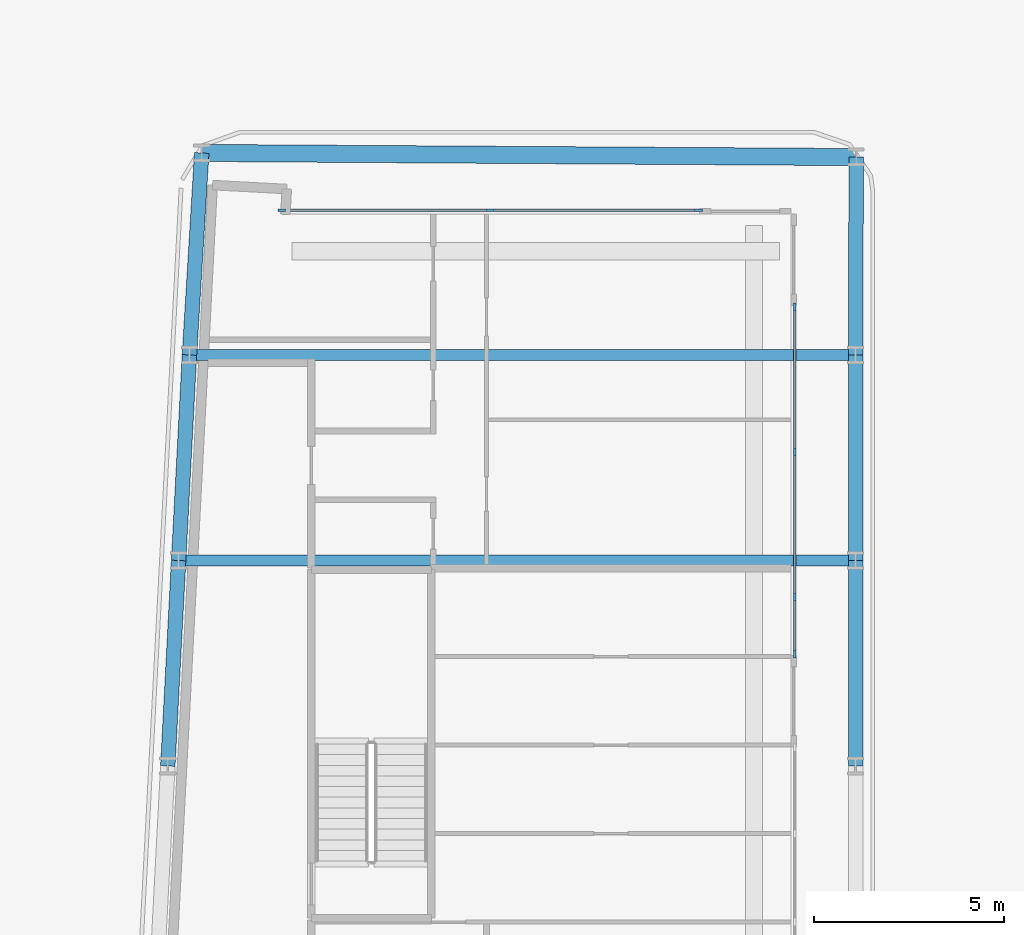
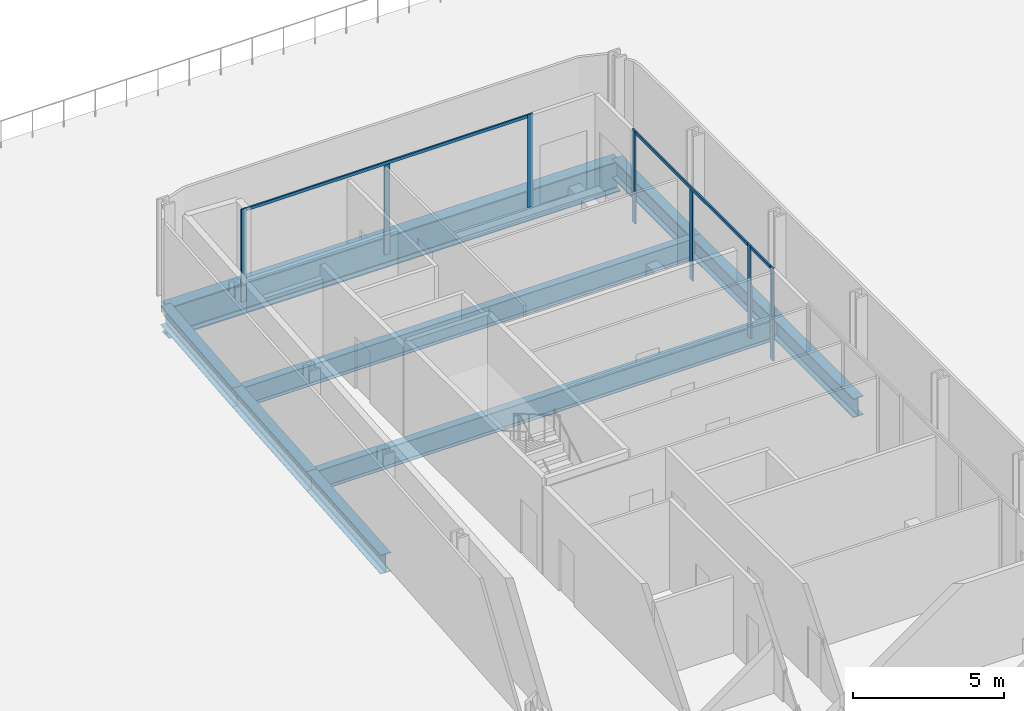
# One storey, part 8 of 27: 10 members, 9 beams, 3 elements without a shape of their own.
"""IFC4 building model written with IfcOpenShell, lengths in metres."""

import ifcopenshell
import ifcopenshell.guid

model = None  # the IFC model being written
_history = None  # IfcOwnerHistory: only IFC2X3 demands one
_inside = {}  # id of a spatial element -> (the spatial element, [elements in it])
_under = {}  # id of a project, library or spatial element -> (it, [spatial elements below it])
_declared = {}  # id of a project -> (the project, [libraries it declares])
_typed = {}  # id of a type object -> (the type object, [elements of that type])
_made_of = {}  # id of a material, layer set ... -> (it, [elements and type objects made of it])


def new_model(schema):
    """Start an empty IFC model of exactly this schema.

    Asked for "IFC4X3", IfcOpenShell would pick the latest addendum, in which some entities
    have other attributes; the version numbers below select the first issue.
    IFC2X3 requires an IfcOwnerHistory on every rooted entity: one is made here for all.
    """
    global model, _history
    if schema == "IFC4X3":
        model = ifcopenshell.file(schema_version=(4, 3, 0, 0))
    else:
        model = ifcopenshell.file(schema=schema)
    _inside.clear()
    _under.clear()
    _declared.clear()
    _typed.clear()
    _made_of.clear()
    _history = None
    if model.schema == "IFC2X3":
        org = make("IfcOrganization", Name="unknown")
        user = make(
            "IfcPersonAndOrganization",
            ThePerson=make("IfcPerson", FamilyName="unknown"),
            TheOrganization=org,
        )
        app = make(
            "IfcApplication",
            ApplicationDeveloper=org,
            Version="unknown",
            ApplicationFullName="unknown",
            ApplicationIdentifier="unknown",
        )
        _history = make(
            "IfcOwnerHistory",
            OwningUser=user,
            OwningApplication=app,
            ChangeAction="ADDED",
            CreationDate=0,
        )
    return model


def make(cls, **values):
    """One entity of the class cls with the attributes given. An attribute that is None is left unset."""
    return model.create_entity(
        cls, **{name: value for name, value in values.items() if value is not None}
    )


def rooted(cls, **values):
    """An entity with a GlobalId (a new one), such as an element, a storey or a relation."""
    return make(cls, GlobalId=ifcopenshell.guid.new(), OwnerHistory=_history, **values)


def si_unit(unit_type, name, prefix=None):
    """IfcSIUnit, for example si_unit("LENGTHUNIT", "METRE", prefix="MILLI")."""
    return make("IfcSIUnit", UnitType=unit_type, Prefix=prefix, Name=name)


def assignment(units):
    """IfcUnitAssignment: the units of a project."""
    return None if units is None else make("IfcUnitAssignment", Units=units)


def point(xyz):
    """IfcCartesianPoint."""
    return None if xyz is None else make("IfcCartesianPoint", Coordinates=xyz)


def direction(xyz):
    """IfcDirection."""
    return None if xyz is None else make("IfcDirection", DirectionRatios=xyz)


def frame(location, z_axis=None, x_axis=None):
    """IfcAxis2Placement3D, a coordinate frame: its origin and axes. An axis left out is left unset."""
    return make(
        "IfcAxis2Placement3D",
        Location=point(location),
        Axis=direction(z_axis),
        RefDirection=direction(x_axis),
    )


def frame_2d(location, x_axis=None):
    """IfcAxis2Placement2D, a coordinate frame in the plane: its origin and x axis."""
    return make(
        "IfcAxis2Placement2D", Location=point(location), RefDirection=direction(x_axis)
    )


def origin():
    """The frame at (0, 0, 0) with its axes left unset."""
    return frame((0.0, 0.0, 0.0))


def origin_2d():
    """The frame at (0, 0) in the plane with its x axis left unset."""
    return frame_2d((0.0, 0.0))


def place(relative_to, where):
    """IfcLocalPlacement: puts the frame where relative to a parent placement (None: the world)."""
    return make(
        "IfcLocalPlacement", PlacementRelTo=relative_to, RelativePlacement=where
    )


def context(
    kind, dimensions, precision=None, world=None, true_north=None, identifier=None
):
    """IfcGeometricRepresentationContext, for example the 3D "Model" context."""
    return make(
        "IfcGeometricRepresentationContext",
        ContextIdentifier=identifier,
        ContextType=kind,
        CoordinateSpaceDimension=dimensions,
        Precision=precision,
        WorldCoordinateSystem=world,
        TrueNorth=true_north,
    )


def subcontext(parent, identifier, kind, view, scale=None):
    """IfcGeometricRepresentationSubContext, for example "Body" below "Model"."""
    return make(
        "IfcGeometricRepresentationSubContext",
        ContextIdentifier=identifier,
        ContextType=kind,
        ParentContext=parent,
        TargetScale=scale,
        TargetView=view,
    )


def project(units=None, contexts=None):
    """IfcProject with its units and contexts."""
    return rooted(
        "IfcProject",
        Name="project",
        RepresentationContexts=contexts,
        UnitsInContext=assignment(units),
    )


def spatial(cls, under=None, at=None, **own):
    """A site, building, storey or space (cls), placed at a placement, below another one or the project."""
    s = rooted(cls, ObjectPlacement=at, **own)
    if under is not None:
        _under.setdefault(under.id(), (under, []))[1].append(s)
    return s


def profile(cls, at=None, kind="AREA", **sizes):
    """A parametric profile (cls). Its sizes go by their IFC names, for example OverallWidth=200.0."""
    return make(cls, ProfileType=kind, Position=at, **sizes)


def rectangle(**sizes):
    """IfcRectangleProfileDef."""
    return profile("IfcRectangleProfileDef", **sizes)


def i_section(**sizes):
    """IfcIShapeProfileDef."""
    return profile("IfcIShapeProfileDef", **sizes)


def extrude(swept, where, along, depth):
    """IfcExtrudedAreaSolid: the profile swept, set in the frame where, extruded along a direction by depth."""
    return make(
        "IfcExtrudedAreaSolid",
        SweptArea=swept,
        Position=where,
        ExtrudedDirection=direction(along),
        Depth=depth,
    )


def shape(context_of_items, identifier, shape_type, items):
    """IfcShapeRepresentation: the items that make up one representation, for example the "Body"."""
    return make(
        "IfcShapeRepresentation",
        ContextOfItems=context_of_items,
        RepresentationIdentifier=identifier,
        RepresentationType=shape_type,
        Items=items,
    )


def material(Name=None, Category=None):
    """IfcMaterial."""
    return make("IfcMaterial", Name=Name, Category=Category)


def layer(
    of_material, thickness, ventilated=None, Name=None, Category=None, Priority=None
):
    """IfcMaterialLayer: one layer of a wall or slab, of a material (None: an air gap)."""
    return make(
        "IfcMaterialLayer",
        Material=of_material,
        LayerThickness=thickness,
        IsVentilated=ventilated,
        Name=Name,
        Category=Category,
        Priority=Priority,
    )


def layer_set(layers, Name=None):
    """IfcMaterialLayerSet."""
    return make("IfcMaterialLayerSet", MaterialLayers=layers, LayerSetName=Name)


def material_profile(
    of_material, cross_section, Name=None, Category=None, Priority=None
):
    """IfcMaterialProfile: a cross section and its material."""
    return make(
        "IfcMaterialProfile",
        Name=Name,
        Material=of_material,
        Profile=cross_section,
        Priority=Priority,
        Category=Category,
    )


def profile_set(profiles, Name=None, composite=None):
    """IfcMaterialProfileSet."""
    return make(
        "IfcMaterialProfileSet",
        Name=Name,
        MaterialProfiles=profiles,
        CompositeProfile=composite,
    )


def made_of(thing, what):
    """Note that an element or type object is made of a material, layer set ...; save() writes the relation."""
    if what is not None:
        _made_of.setdefault(what.id(), (what, []))[1].append(thing)
    return thing


def type_object(cls, material=None, **own):
    """A type object (cls), such as IfcWallType, which elements share."""
    return made_of(rooted(cls, **own), material)


def element(
    cls,
    number,
    at=None,
    inside=None,
    cuts=None,
    type_object=None,
    material=None,
    context=None,
    identifier="Body",
    shape_type=None,
    held_by="IfcProductDefinitionShape",
    body=None,
    shapes=None,
    **own,
):
    """One element of the class cls, such as IfcWall. Its Tag is "e" and its number.

    at: its placement. inside: the storey or other place that contains it. cuts: it is an
    opening in that element (IfcRelVoidsElement). A single representation is given by context,
    identifier, shape_type and body (its items); several are given by shapes. held_by: the class
    of the entity that holds the representations. save() writes the other relations.
    """
    e = rooted(cls, Tag="e%d" % number, ObjectPlacement=at, **own)
    if body is not None:
        shapes = [shape(context, identifier, shape_type, body)]
    if shapes is not None:
        e.Representation = make(held_by, Representations=shapes)
    if inside is not None:
        _inside.setdefault(inside.id(), (inside, []))[1].append(e)
    if cuts is not None:
        rooted(
            "IfcRelVoidsElement", RelatingBuildingElement=cuts, RelatedOpeningElement=e
        )
    if type_object is not None:
        _typed.setdefault(type_object.id(), (type_object, []))[1].append(e)
    return made_of(e, material)


def aggregate(whole, parts):
    """IfcRelAggregates: a whole, such as a stair, and the parts it consists of."""
    return rooted("IfcRelAggregates", RelatingObject=whole, RelatedObjects=parts)


def save(model, path):
    """Write the relations noted so far, then the file.

    IfcRelAggregates (storeys below a building ...), IfcRelContainedInSpatialStructure (elements
    in a storey), IfcRelDefinesByType, IfcRelAssociatesMaterial and IfcRelDeclares: one each for
    every whole, place, type object, material and project.
    """
    for whole, parts in _under.values():
        aggregate(whole, parts)
    for where, things in _inside.values():
        rooted(
            "IfcRelContainedInSpatialStructure",
            RelatedElements=things,
            RelatingStructure=where,
        )
    for kind, things in _typed.values():
        rooted("IfcRelDefinesByType", RelatedObjects=things, RelatingType=kind)
    for what, things in _made_of.values():
        rooted("IfcRelAssociatesMaterial", RelatedObjects=things, RelatingMaterial=what)
    for by, libraries in _declared.values():
        rooted("IfcRelDeclares", RelatingContext=by, RelatedDefinitions=libraries)
    model.write(path)


model = new_model("IFC4")

# Units and contexts
model_context = context("Model", 3, precision=1e-05, world=origin(), true_north=direction((0.0, 1.0)))
body_context = subcontext(model_context, "Body", "Model", "MODEL_VIEW")
ifc_project = project(units=[si_unit("LENGTHUNIT", "METRE"), si_unit("AREAUNIT", "SQUARE_METRE"), si_unit("VOLUMEUNIT", "CUBIC_METRE"), si_unit("PLANEANGLEUNIT", "RADIAN"), si_unit("MASSUNIT", "GRAM", prefix="KILO")], contexts=[model_context])

# Site, building, storey
site_placement = place(None, origin())
site = spatial("IfcSite", under=ifc_project, at=site_placement, CompositionType="ELEMENT")
building_placement = place(site_placement, origin())
building = spatial("IfcBuilding", under=site, at=building_placement, Name="Kheshtan School and Residences Tower", CompositionType="ELEMENT")
storey_placement = place(building_placement, frame((0.0, 0.0, 30.5)))
storey = spatial("IfcBuildingStorey", under=building, at=storey_placement, Name="L06", CompositionType="ELEMENT", Elevation=30.5)

# Beams
ifc_material_1 = material(Name="Steel ASTM A992 Grade 50", Category="steel")
ifc_material_profile_1 = material_profile(ifc_material_1, i_section(OverallWidth=0.2919921875, OverallDepth=0.8349609375, WebThickness=0.013916015625, FlangeThickness=0.018798828125, FilletRadius=0.016845703125, at=origin_2d()), Name="W840x176")
ifc_profile_set_1 = profile_set([ifc_material_profile_1], Name="Steel ASTM A992 Grade 50")
beam_type_1 = type_object("IfcBeamType", Name="Beam FB8 W840x176 ASTM A992 Grade 50", PredefinedType="BEAM", material=ifc_profile_set_1)
beam_1_placement = place(storey_placement, frame((47.60009765625, 94.199951171875, -0.717529296875), z_axis=(-1.0, 0.0, 0.0), x_axis=(0.0, -1.0, 0.0)))
element("IfcBeam", 1, at=beam_1_placement, inside=storey, type_object=beam_type_1, Name="Floor beam C107", PredefinedType="BEAM", context=body_context, shape_type="SweptSolid", body=[
    extrude(i_section(OverallWidth=0.2919921875, OverallDepth=0.8349609375, WebThickness=0.013916015625, FlangeThickness=0.018798828125, FilletRadius=0.016845703125, at=origin_2d()), origin(), (0.0, 0.0, 1.0), 17.505126953125),
])
beam_2_placement = place(storey_placement, frame((29.81103515625, 88.800048828125, -0.717529296875), z_axis=(1.0, 0.0, 0.0), x_axis=(0.0, 1.0, 0.0)))
element("IfcBeam", 2, at=beam_2_placement, inside=storey, type_object=beam_type_1, Name="Floor beam C098", PredefinedType="BEAM", context=body_context, shape_type="SweptSolid", body=[
    extrude(i_section(OverallWidth=0.2919921875, OverallDepth=0.8349609375, WebThickness=0.013916015625, FlangeThickness=0.018798828125, FilletRadius=0.016845703125, at=origin_2d()), origin(), (0.0, 0.0, 1.0), 17.7890625),
])
ifc_material_profile_2 = material_profile(ifc_material_1, i_section(OverallWidth=0.381103515625, OverallDepth=0.77294921875, WebThickness=0.0166015625, FlangeThickness=0.027099609375, FilletRadius=0.023193359375, at=origin_2d()), Name="W760x257")
ifc_profile_set_2 = profile_set([ifc_material_profile_2], Name="Steel ASTM A992 Grade 50")
beam_type_2 = type_object("IfcBeamType", Name="Beam SP6 W760x257 ASTM A992 Grade 50", PredefinedType="BEAM", material=ifc_profile_set_2)
beam_3_placement = place(storey_placement, frame((47.614013671875, 99.39990234375, -0.6865234375), z_axis=(-0.002676172397, -0.999996419044, 0.0), x_axis=(0.999996419044, -0.002676172397, 0.0)))
element("IfcBeam", 3, at=beam_3_placement, inside=storey, type_object=beam_type_2, Name="Spandrel beam C109-C107", PredefinedType="BEAM", context=body_context, shape_type="SweptSolid", body=[
    extrude(i_section(OverallWidth=0.381103515625, OverallDepth=0.77294921875, WebThickness=0.0166015625, FlangeThickness=0.027099609375, FilletRadius=0.023193359375, at=origin_2d()), origin(), (0.0, 0.0, 1.0), 5.199951171875),
])
beam_4_placement = place(storey_placement, frame((47.60009765625, 94.199951171875, -0.6865234375), z_axis=(0.0, -1.0, 0.0), x_axis=(1.0, 0.0, 0.0)))
element("IfcBeam", 4, at=beam_4_placement, inside=storey, type_object=beam_type_2, Name="Spandrel beam C107-C099", PredefinedType="BEAM", context=body_context, shape_type="SweptSolid", body=[
    extrude(i_section(OverallWidth=0.381103515625, OverallDepth=0.77294921875, WebThickness=0.0166015625, FlangeThickness=0.027099609375, FilletRadius=0.023193359375, at=origin_2d()), origin(), (0.0, 0.0, 1.0), 5.39990234375),
])
beam_5_placement = place(storey_placement, frame((47.60009765625, 88.800048828125, -0.6865234375), z_axis=(0.0, -1.0, 0.0), x_axis=(1.0, 0.0, 0.0)))
element("IfcBeam", 5, at=beam_5_placement, inside=storey, type_object=beam_type_2, Name="Spandrel beam C099-C091", PredefinedType="BEAM", context=body_context, shape_type="SweptSolid", body=[
    extrude(i_section(OverallWidth=0.381103515625, OverallDepth=0.77294921875, WebThickness=0.0166015625, FlangeThickness=0.027099609375, FilletRadius=0.023193359375, at=origin_2d()), origin(), (0.0, 0.0, 1.0), 5.400146484375),
])
beam_6_placement = place(storey_placement, frame((29.527099609375, 83.39990234375, -0.6865234375), z_axis=(0.05250670125, 0.998620571751, 0.0), x_axis=(-0.998620571751, 0.05250670125, 0.0)))
element("IfcBeam", 6, at=beam_6_placement, inside=storey, type_object=beam_type_2, Name="Spandrel beam C090-C098", PredefinedType="BEAM", context=body_context, shape_type="SweptSolid", body=[
    extrude(i_section(OverallWidth=0.381103515625, OverallDepth=0.77294921875, WebThickness=0.0166015625, FlangeThickness=0.027099609375, FilletRadius=0.023193359375, at=origin_2d()), origin(), (0.0, 0.0, 1.0), 5.40771484375),
])
beam_7_placement = place(storey_placement, frame((29.81103515625, 88.800048828125, -0.6865234375), z_axis=(0.05250906864, 0.998620447272, 0.0), x_axis=(-0.998620447272, 0.05250906864, 0.0)))
element("IfcBeam", 7, at=beam_7_placement, inside=storey, type_object=beam_type_2, Name="Spandrel beam C098-C106", PredefinedType="BEAM", context=body_context, shape_type="SweptSolid", body=[
    extrude(i_section(OverallWidth=0.381103515625, OverallDepth=0.77294921875, WebThickness=0.0166015625, FlangeThickness=0.027099609375, FilletRadius=0.023193359375, at=origin_2d()), origin(), (0.0, 0.0, 1.0), 5.407470703125),
])
beam_8_placement = place(storey_placement, frame((30.094970703125, 94.199951171875, -0.6865234375), z_axis=(0.060737624537, 0.998153766193, 0.0), x_axis=(-0.998153766193, 0.060737624537, 0.0)))
element("IfcBeam", 8, at=beam_8_placement, inside=storey, type_object=beam_type_2, Name="Spandrel beam C106-C119", PredefinedType="BEAM", context=body_context, shape_type="SweptSolid", body=[
    extrude(i_section(OverallWidth=0.381103515625, OverallDepth=0.77294921875, WebThickness=0.0166015625, FlangeThickness=0.027099609375, FilletRadius=0.023193359375, at=origin_2d()), origin(), (0.0, 0.0, 1.0), 5.31787109375),
])

# Curtain wall, members
ifc_material_2 = material(Name="Clear low-e glass in thermally broken aluminium frame", Category="aluminium")
ifc_layer = layer(ifc_material_2, 0.199951171875)
ifc_layer_set = layer_set([ifc_layer], Name="Curtain wall CW-L")
curtain_wall_type = type_object("IfcCurtainWallType", Name="Curtain wall CW-L", PredefinedType="NOTDEFINED", material=ifc_layer_set)
curtain_wall_1_placement = place(storey_placement, origin())
curtain_wall_1 = element("IfcCurtainWall", 9, at=curtain_wall_1_placement, inside=storey, type_object=curtain_wall_type, Name="Curtain wall CWL7", PredefinedType="NOTDEFINED")
ifc_material_3 = material(Name="Thermally broken aluminium, dark bronze anodised", Category="aluminium")
ifc_material_profile_3 = material_profile(ifc_material_3, rectangle(XDim=0.06005859375, YDim=0.199951171875, at=origin_2d()), Name="CW-L mullion 60x200")
ifc_profile_set_3 = profile_set([ifc_material_profile_3], Name="Thermally broken aluminium, dark bronze anodised")
member_type_1 = type_object("IfcMemberType", Name="CW-L mullion 60x200", PredefinedType="MULLION", material=ifc_profile_set_3)
member_1_placement = place(storey_placement, frame((32.52197265625, 98.0, 0.0), z_axis=(0.0, 0.0, 1.0), x_axis=(0.0, 1.0, 0.0)))
member_1 = element("IfcMember", 10, at=member_1_placement, type_object=member_type_1, Name="CWL7 mullion 1", PredefinedType="MULLION", context=body_context, shape_type="SweptSolid", body=[
    extrude(rectangle(XDim=0.06005859375, YDim=0.199951171875, at=origin_2d()), origin(), (0.0, 0.0, 1.0), 3.75),
])
member_2_placement = place(storey_placement, frame((37.99609375, 98.0, 0.0), z_axis=(0.0, 0.0, 1.0), x_axis=(0.0, 1.0, 0.0)))
member_2 = element("IfcMember", 11, at=member_2_placement, type_object=member_type_1, Name="CWL7 mullion 2", PredefinedType="MULLION", context=body_context, shape_type="SweptSolid", body=[
    extrude(rectangle(XDim=0.06005859375, YDim=0.199951171875, at=origin_2d()), origin(), (0.0, 0.0, 1.0), 3.6298828125),
])
member_3_placement = place(storey_placement, frame((43.469970703125, 98.0, 0.0), z_axis=(0.0, 0.0, 1.0), x_axis=(0.0, 1.0, 0.0)))
member_3 = element("IfcMember", 12, at=member_3_placement, type_object=member_type_1, Name="CWL7 mullion 3", PredefinedType="MULLION", context=body_context, shape_type="SweptSolid", body=[
    extrude(rectangle(XDim=0.06005859375, YDim=0.199951171875, at=origin_2d()), origin(), (0.0, 0.0, 1.0), 3.75),
])

curtain_wall_2_placement = place(storey_placement, origin())
curtain_wall_2 = element("IfcCurtainWall", 13, at=curtain_wall_2_placement, inside=storey, type_object=curtain_wall_type, Name="Curtain wall CWL8", PredefinedType="NOTDEFINED")
member_4_placement = place(storey_placement, frame((46.0, 95.469970703125, 0.0), z_axis=(0.0, 0.0, 1.0), x_axis=(1.0, 0.0, 0.0)))
member_4 = element("IfcMember", 14, at=member_4_placement, type_object=member_type_1, Name="CWL8 mullion 1", PredefinedType="MULLION", context=body_context, shape_type="SweptSolid", body=[
    extrude(rectangle(XDim=0.06005859375, YDim=0.199951171875, at=origin_2d()), origin(), (0.0, 0.0, 1.0), 3.75),
])
member_5_placement = place(storey_placement, frame((46.0, 91.653076171875, 0.0), z_axis=(0.0, 0.0, 1.0), x_axis=(1.0, 0.0, 0.0)))
member_5 = element("IfcMember", 15, at=member_5_placement, type_object=member_type_1, Name="CWL8 mullion 2", PredefinedType="MULLION", context=body_context, shape_type="SweptSolid", body=[
    extrude(rectangle(XDim=0.06005859375, YDim=0.199951171875, at=origin_2d()), origin(), (0.0, 0.0, 1.0), 3.6298828125),
])
member_6_placement = place(storey_placement, frame((46.0, 87.8359375, 0.0), z_axis=(0.0, 0.0, 1.0), x_axis=(1.0, 0.0, 0.0)))
member_6 = element("IfcMember", 16, at=member_6_placement, type_object=member_type_1, Name="CWL8 mullion 3", PredefinedType="MULLION", context=body_context, shape_type="SweptSolid", body=[
    extrude(rectangle(XDim=0.06005859375, YDim=0.199951171875, at=origin_2d()), origin(), (0.0, 0.0, 1.0), 3.75),
])

# Curtain wall, member
curtain_wall_3_placement = place(storey_placement, origin())
curtain_wall_3 = element("IfcCurtainWall", 17, at=curtain_wall_3_placement, inside=storey, type_object=curtain_wall_type, Name="Curtain wall CWL8a", PredefinedType="NOTDEFINED")
member_7_placement = place(storey_placement, frame((46.0, 86.3359375, 0.0), z_axis=(0.0, 0.0, 1.0), x_axis=(1.0, 0.0, 0.0)))
member_7 = element("IfcMember", 18, at=member_7_placement, type_object=member_type_1, Name="CWL8a mullion 2", PredefinedType="MULLION", context=body_context, shape_type="SweptSolid", body=[
    extrude(rectangle(XDim=0.06005859375, YDim=0.199951171875, at=origin_2d()), origin(), (0.0, 0.0, 1.0), 3.75),
])

# Member
ifc_material_profile_4 = material_profile(ifc_material_3, rectangle(XDim=0.06005859375, YDim=0.1201171875, at=origin_2d()), Name="CW-L transom 60x120")
ifc_profile_set_4 = profile_set([ifc_material_profile_4], Name="Thermally broken aluminium, dark bronze anodised")
member_type_2 = type_object("IfcMemberType", Name="CW-L transom 60x120", PredefinedType="USERDEFINED", material=ifc_profile_set_4)
member_8_placement = place(storey_placement, frame((32.552001953125, 98.0, 3.68994140625), z_axis=(1.0, 0.0, 0.0), x_axis=(0.0, 1.0, 0.0)))
member_8 = element("IfcMember", 19, at=member_8_placement, type_object=member_type_2, Name="CWL7 transom 1", ObjectType="TRANSOM", PredefinedType="USERDEFINED", context=body_context, shape_type="SweptSolid", body=[
    extrude(rectangle(XDim=0.06005859375, YDim=0.1201171875, at=origin_2d()), origin(), (0.0, 0.0, 1.0), 10.887939453125),
])

aggregate(curtain_wall_1, [member_1, member_2, member_3, member_8])

member_9_placement = place(storey_placement, frame((46.0, 95.43994140625, 3.68994140625), z_axis=(0.0, -1.0, 0.0), x_axis=(1.0, 0.0, 0.0)))
member_9 = element("IfcMember", 20, at=member_9_placement, type_object=member_type_2, Name="CWL8 transom 1", ObjectType="TRANSOM", PredefinedType="USERDEFINED", context=body_context, shape_type="SweptSolid", body=[
    extrude(rectangle(XDim=0.06005859375, YDim=0.1201171875, at=origin_2d()), origin(), (0.0, 0.0, 1.0), 7.573974609375),
])

aggregate(curtain_wall_2, [member_4, member_5, member_6, member_9])

member_10_placement = place(storey_placement, frame((46.0, 87.805908203125, 3.68994140625), z_axis=(0.0, -1.0, 0.0), x_axis=(1.0, 0.0, 0.0)))
member_10 = element("IfcMember", 21, at=member_10_placement, type_object=member_type_2, Name="CWL8a transom 1", ObjectType="TRANSOM", PredefinedType="USERDEFINED", context=body_context, shape_type="SweptSolid", body=[
    extrude(rectangle(XDim=0.06005859375, YDim=0.1201171875, at=origin_2d()), origin(), (0.0, 0.0, 1.0), 1.43994140625),
])

aggregate(curtain_wall_3, [member_7, member_10])

# Beam
ifc_material_profile_5 = material_profile(ifc_material_1, i_section(OverallWidth=0.449951171875, OverallDepth=1.25, WebThickness=0.02490234375, FlangeThickness=0.044921875, FilletRadius=0.03759765625, at=origin_2d()), Name="WWF1250x546")
ifc_profile_set_5 = profile_set([ifc_material_profile_5], Name="Steel ASTM A992 Grade 50")
beam_type_3 = type_object("IfcBeamType", Name="Transfer girder TG4 WWF1250x546 ASTM A992 Grade 50", PredefinedType="BEAM", material=ifc_profile_set_5)
beam_9_placement = place(storey_placement, frame((30.41796875, 99.508056640625, -0.925048828125), z_axis=(0.999980221765, -0.006289362366, 0.0), x_axis=(0.006289362366, 0.999980221765, 0.0)))
element("IfcBeam", 22, at=beam_9_placement, inside=storey, type_object=beam_type_3, Name="Transfer girder C119-C109", PredefinedType="BEAM", context=body_context, shape_type="SweptSolid", body=[
    extrude(i_section(OverallWidth=0.449951171875, OverallDepth=1.25, WebThickness=0.02490234375, FlangeThickness=0.044921875, FilletRadius=0.03759765625, at=origin_2d()), origin(), (0.0, 0.0, 1.0), 17.1962890625),
])

save(model, "model.ifc")
